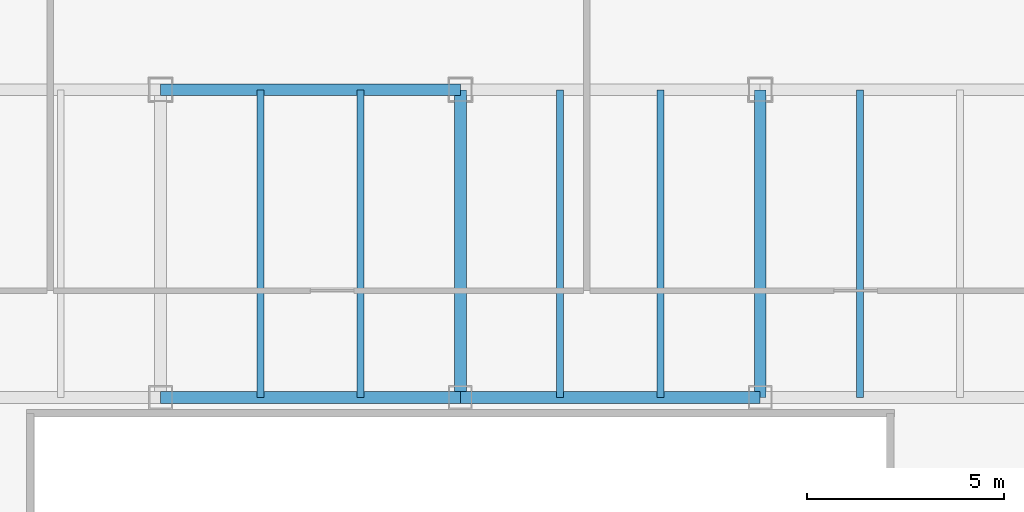
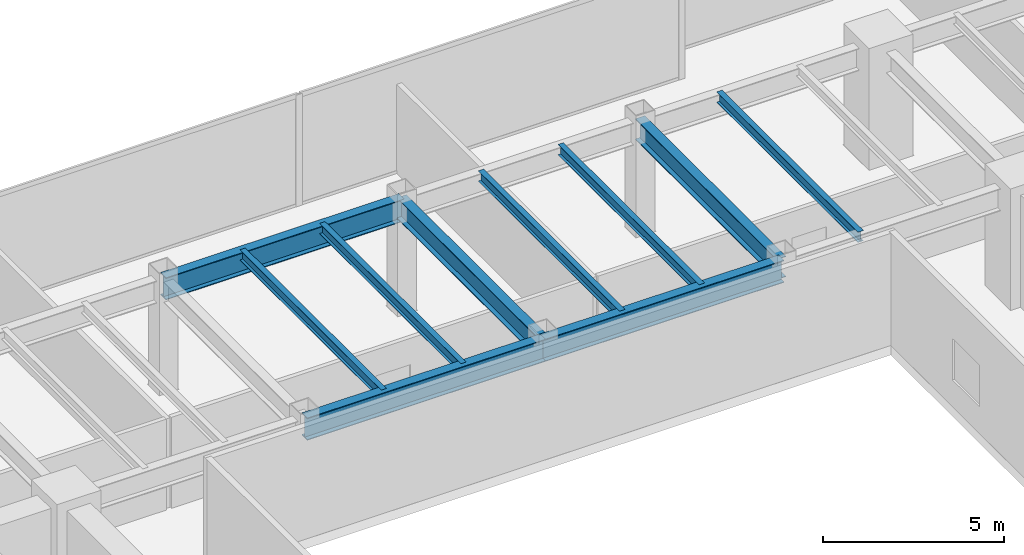
# One storey, part 17 of 36: 10 beams.
"""IFC4 building model written with IfcOpenShell, lengths in metres."""

from ifc_helpers import new_model, si_unit, direction, frame, origin, origin_2d, place, context, subcontext, project, spatial, i_section, extrude, source, transform, mapped, material, material_profile, profile_set, type_object, type_shapes, element, save


model = new_model("IFC4")

# Units and contexts
model_context = context("Model", 3, precision=1e-05, world=origin(), true_north=direction((0.0, 1.0)))
body_context = subcontext(model_context, "Body", "Model", "MODEL_VIEW")
ifc_project = project(units=[si_unit("LENGTHUNIT", "METRE"), si_unit("AREAUNIT", "SQUARE_METRE"), si_unit("VOLUMEUNIT", "CUBIC_METRE"), si_unit("PLANEANGLEUNIT", "RADIAN"), si_unit("MASSUNIT", "GRAM", prefix="KILO")], contexts=[model_context])

# Site, building, storey
site_placement = place(None, origin())
site = spatial("IfcSite", under=ifc_project, at=site_placement, CompositionType="ELEMENT")
building_placement = place(site_placement, origin())
building = spatial("IfcBuilding", under=site, at=building_placement, Name="Haelvirn Gate Laboratories", CompositionType="ELEMENT")
storey_placement = place(building_placement, frame((0.0, 0.0, 49.800048828125)))
storey = spatial("IfcBuildingStorey", under=building, at=storey_placement, Name="L12", CompositionType="ELEMENT", Elevation=49.800048828125)

# Beams
ifc_material = material(Name="Steel SM355", Category="steel")
ifc_material_profile_1 = material_profile(ifc_material, i_section(OverallWidth=0.300048828125, OverallDepth=0.699951171875, WebThickness=0.012939453125, FlangeThickness=0.02392578125, at=origin_2d()), Name="H-700x300x13x24")
ifc_profile_set_1 = profile_set([ifc_material_profile_1], Name="Steel SM355")
beam_type_1 = type_object("IfcBeamType", Name="BM-G-700", PredefinedType="BEAM", material=ifc_profile_set_1)
shared_shape_1 = source(origin(), body_context, "Body", "SweptSolid", [
    extrude(i_section(OverallWidth=0.300048828125, OverallDepth=0.699951171875, WebThickness=0.012939453125, FlangeThickness=0.02392578125, at=origin_2d()), origin(), (0.0, 0.0, 1.0), 7.800048828125),
])
type_shapes(beam_type_1, [shared_shape_1])
for number, where, z_axis, x_axis, name in (
    (1, (37.39990234375, 33.800048828125, 3.429931640625), (0.0, 1.0, 0.0), (-1.0, 0.0, 0.0), "L12 Frame Girder X37.4 (33.8-41.6)"),
    (2, (45.0, 33.800048828125, 3.429931640625), (0.0, 1.0, 0.0), (-1.0, 0.0, 0.0), "L12 Frame Girder X45.0 (33.8-41.6)"),
):
    element("IfcBeam", number, at=place(storey_placement, frame(where, z_axis=z_axis, x_axis=x_axis)), inside=storey, type_object=beam_type_1, Name=name, PredefinedType="BEAM", context=body_context, shape_type="MappedRepresentation", body=[
        mapped(shared_shape_1, transform((0.0, 0.0, 0.0), scale=1.0)),
    ])
ifc_material_profile_2 = material_profile(ifc_material, i_section(OverallWidth=0.300048828125, OverallDepth=0.75, WebThickness=0.013916015625, FlangeThickness=0.02392578125, at=origin_2d()), Name="H-750x300x14x24")
ifc_profile_set_2 = profile_set([ifc_material_profile_2], Name="Steel SM355")
beam_type_2 = type_object("IfcBeamType", Name="BM-G-750", PredefinedType="BEAM", material=ifc_profile_set_2)
shared_shape_2 = source(origin(), body_context, "Body", "SweptSolid", [
    extrude(i_section(OverallWidth=0.300048828125, OverallDepth=0.75, WebThickness=0.013916015625, FlangeThickness=0.02392578125, at=origin_2d()), origin(), (0.0, 0.0, 1.0), 7.60009765625),
])
beam_placement = place(storey_placement, frame((37.39990234375, 33.800048828125, 3.405029296875), z_axis=(1.0, 0.0, 0.0), x_axis=(0.0, 1.0, 0.0)))
element("IfcBeam", 3, at=beam_placement, inside=storey, type_object=beam_type_2, Name="L12 Primary Girder Y33.8 (37.4-45.0)", PredefinedType="BEAM", context=body_context, shape_type="MappedRepresentation", body=[
    mapped(shared_shape_2, transform((0.0, 0.0, 0.0), scale=1.0)),
])
shared_shape_3 = source(origin(), body_context, "Body", "SweptSolid", [
    extrude(i_section(OverallWidth=0.300048828125, OverallDepth=0.75, WebThickness=0.013916015625, FlangeThickness=0.02392578125, at=origin_2d()), origin(), (0.0, 0.0, 1.0), 7.599853515625),
])
type_shapes(beam_type_2, [shared_shape_2, shared_shape_3])
for number, where, z_axis, x_axis, name in (
    (4, (29.800048828125, 33.800048828125, 3.405029296875), (1.0, 0.0, 0.0), (0.0, 1.0, 0.0), "L12 Primary Girder Y33.8 (29.8-37.4)"),
    (5, (29.800048828125, 41.60009765625, 3.405029296875), (1.0, 0.0, 0.0), (0.0, 1.0, 0.0), "L12 Primary Girder Y41.6 (29.8-37.4)"),
):
    element("IfcBeam", number, at=place(storey_placement, frame(where, z_axis=z_axis, x_axis=x_axis)), inside=storey, type_object=beam_type_2, Name=name, PredefinedType="BEAM", context=body_context, shape_type="MappedRepresentation", body=[
        mapped(shared_shape_3, transform((0.0, 0.0, 0.0), scale=1.0)),
    ])
ifc_material_profile_3 = material_profile(ifc_material, i_section(OverallWidth=0.175048828125, OverallDepth=0.35009765625, WebThickness=0.007080078125, FlangeThickness=0.010986328125, at=origin_2d()), Name="H-350x175x7x11")
ifc_profile_set_3 = profile_set([ifc_material_profile_3], Name="Steel SM355")
beam_type_3 = type_object("IfcBeamType", Name="BM-J-350", PredefinedType="JOIST", material=ifc_profile_set_3)
shared_shape_4 = source(origin(), body_context, "Body", "SweptSolid", [
    extrude(i_section(OverallWidth=0.175048828125, OverallDepth=0.35009765625, WebThickness=0.007080078125, FlangeThickness=0.010986328125, at=origin_2d()), origin(), (0.0, 0.0, 1.0), 7.800048828125),
])
type_shapes(beam_type_3, [shared_shape_4])
for number, where, z_axis, x_axis, name in (
    (6, (32.330078125, 33.800048828125, 3.60498046875), (0.0, 1.0, 0.0), (-1.0, 0.0, 0.0), "L12 Composite Lab Joist North X32.33"),
    (7, (34.8701171875, 33.800048828125, 3.60498046875), (0.0, 1.0, 0.0), (-1.0, 0.0, 0.0), "L12 Composite Lab Joist North X34.87"),
    (8, (39.929931640625, 33.800048828125, 3.60498046875), (0.0, 1.0, 0.0), (-1.0, 0.0, 0.0), "L12 Composite Lab Joist North X39.93"),
    (9, (42.469970703125, 33.800048828125, 3.60498046875), (0.0, 1.0, 0.0), (-1.0, 0.0, 0.0), "L12 Composite Lab Joist North X42.47"),
    (10, (47.530029296875, 33.800048828125, 3.60498046875), (0.0, 1.0, 0.0), (-1.0, 0.0, 0.0), "L12 Composite Lab Joist North X47.53"),
):
    element("IfcBeam", number, at=place(storey_placement, frame(where, z_axis=z_axis, x_axis=x_axis)), inside=storey, type_object=beam_type_3, Name=name, PredefinedType="JOIST", context=body_context, shape_type="MappedRepresentation", body=[
        mapped(shared_shape_4, transform((0.0, 0.0, 0.0), scale=1.0)),
    ])

save(model, "model.ifc")
